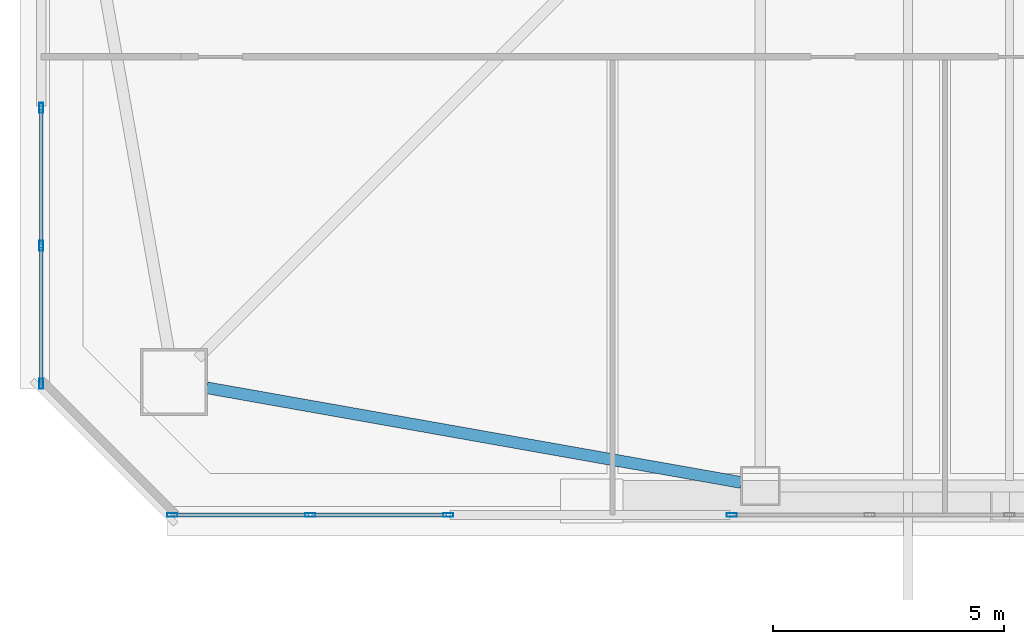
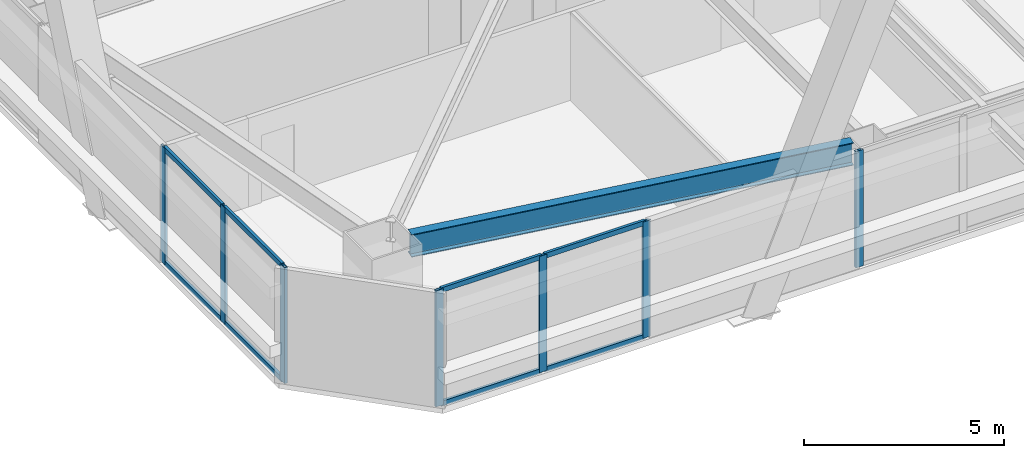
# One storey, part 3 of 54: 15 members, 1 beam, 3 elements without a shape of their own.
"""IFC4 building model written with IfcOpenShell, lengths in metres."""

from ifc_helpers import new_model, si_unit, direction, frame, origin, origin_2d, place, context, subcontext, project, spatial, hollow_rectangle, i_section, extrude, material, material_profile, profile_set, type_object, element, aggregate, save


model = new_model("IFC4")

# Units and contexts
model_context = context("Model", 3, precision=1e-05, world=origin(), true_north=direction((0.0, 1.0)))
body_context = subcontext(model_context, "Body", "Model", "MODEL_VIEW")
ifc_project = project(units=[si_unit("LENGTHUNIT", "METRE"), si_unit("AREAUNIT", "SQUARE_METRE"), si_unit("VOLUMEUNIT", "CUBIC_METRE"), si_unit("PLANEANGLEUNIT", "RADIAN"), si_unit("MASSUNIT", "GRAM", prefix="KILO")], contexts=[model_context])

# Site, building, storey
site_placement = place(None, origin())
site = spatial("IfcSite", under=ifc_project, at=site_placement, CompositionType="ELEMENT")
building_placement = place(site_placement, origin())
building = spatial("IfcBuilding", under=site, at=building_placement, Name="Tashvorn Skyway Center", CompositionType="ELEMENT")
storey_placement = place(building_placement, frame((0.0, 0.0, 88.5)))
storey = spatial("IfcBuildingStorey", under=building, at=storey_placement, Name="L23", CompositionType="ELEMENT", Elevation=88.5)

# Beam
ifc_material_1 = material(Name="Steel ASTM A992 Grade 50", Category="steel")
ifc_material_profile_1 = material_profile(ifc_material_1, i_section(OverallWidth=0.256103515625, OverallDepth=0.693115234375, WebThickness=0.014404296875, FlangeThickness=0.023681640625, at=origin_2d()), Name="W27X114")
ifc_profile_set_1 = profile_set([ifc_material_profile_1], Name="Steel ASTM A992 Grade 50")
beam_type = type_object("IfcBeamType", Name="BM-SPANDREL-W27X114", PredefinedType="SPANDREL", material=ifc_profile_set_1)
beam_placement = place(storey_placement, frame((24.60888671875, 13.7744140625, 3.00341796875), z_axis=(0.98466816531, -0.174437966698, 0.0), x_axis=(0.174437966698, 0.98466816531, 0.0)))
element("IfcBeam", 1, at=beam_placement, inside=storey, type_object=beam_type, Name="Tower 1 L23 Spandrel Beam 01", PredefinedType="SPANDREL", context=body_context, shape_type="SweptSolid", body=[
    extrude(i_section(OverallWidth=0.256103515625, OverallDepth=0.693115234375, WebThickness=0.014404296875, FlangeThickness=0.023681640625, at=origin_2d()), origin(), (0.0, 0.0, 1.0), 11.7578125),
])

# Curtain wall, member
ifc_material_2 = material(Name="Thermally broken bronze-anodized aluminium 6063-T6", Category="aluminium")
curtain_wall_type = type_object("IfcCurtainWallType", Name="CW-CW-Z2", PredefinedType="NOTDEFINED", material=ifc_material_2)
curtain_wall_1_placement = place(storey_placement, origin())
curtain_wall_1 = element("IfcCurtainWall", 2, at=curtain_wall_1_placement, inside=storey, type_object=curtain_wall_type, Name="Tower 1 L23 South Unitised Curtain Wall Glazing Group 2", PredefinedType="NOTDEFINED")
ifc_material_profile_2 = material_profile(ifc_material_2, hollow_rectangle(XDim=0.080078125, YDim=0.219970703125, WallThickness=0.0048828125, at=origin_2d()), Name="ALU-MULL-80x220")
ifc_profile_set_2 = profile_set([ifc_material_profile_2], Name="Thermally broken bronze-anodized aluminium 6063-T6")
member_type_1 = type_object("IfcMemberType", Name="CWM-CW-Z2", PredefinedType="MULLION", material=ifc_profile_set_2)
member_1_placement = place(storey_placement, frame((35.97998046875, 11.02001953125, 0.0), z_axis=(0.0, 0.0, 1.0), x_axis=(0.0, -1.0, 0.0)))
member_1 = element("IfcMember", 3, at=member_1_placement, type_object=member_type_1, Name="CW-Z2 mullion 5", PredefinedType="MULLION", context=body_context, shape_type="SweptSolid", body=[
    extrude(hollow_rectangle(XDim=0.080078125, YDim=0.219970703125, WallThickness=0.0048828125, at=origin_2d()), origin(), (0.0, 0.0, 1.0), 3.550048828125),
])
aggregate(curtain_wall_1, [member_1])

# Curtain wall, members
curtain_wall_2_placement = place(storey_placement, origin())
curtain_wall_2 = element("IfcCurtainWall", 4, at=curtain_wall_2_placement, inside=storey, type_object=curtain_wall_type, Name="Tower 1 L23 South Unitised Curtain Wall Glazing Group 3", PredefinedType="NOTDEFINED")
member_2_placement = place(storey_placement, frame((29.840087890625, 11.02001953125, 0.0), z_axis=(0.0, 0.0, 1.0), x_axis=(0.0, -1.0, 0.0)))
member_2 = element("IfcMember", 5, at=member_2_placement, type_object=member_type_1, Name="CW-Z2 mullion 1", PredefinedType="MULLION", context=body_context, shape_type="SweptSolid", body=[
    extrude(hollow_rectangle(XDim=0.080078125, YDim=0.219970703125, WallThickness=0.0048828125, at=origin_2d()), origin(), (0.0, 0.0, 1.0), 3.550048828125),
])
member_3_placement = place(storey_placement, frame((26.85009765625, 11.02001953125, 0.0), z_axis=(0.0, 0.0, 1.0), x_axis=(0.0, -1.0, 0.0)))
member_3 = element("IfcMember", 6, at=member_3_placement, type_object=member_type_1, Name="CW-Z2 mullion 2", PredefinedType="MULLION", context=body_context, shape_type="SweptSolid", body=[
    extrude(hollow_rectangle(XDim=0.080078125, YDim=0.219970703125, WallThickness=0.0048828125, at=origin_2d()), origin(), (0.0, 0.0, 1.0), 3.550048828125),
])
member_4_placement = place(storey_placement, frame((23.860107421875, 11.02001953125, 0.0), z_axis=(0.0, 0.0, 1.0), x_axis=(0.0, -1.0, 0.0)))
member_4 = element("IfcMember", 7, at=member_4_placement, type_object=member_type_1, Name="CW-Z2 mullion 3", PredefinedType="MULLION", context=body_context, shape_type="SweptSolid", body=[
    extrude(hollow_rectangle(XDim=0.080078125, YDim=0.219970703125, WallThickness=0.0048828125, at=origin_2d()), origin(), (0.0, 0.0, 1.0), 3.550048828125),
])

curtain_wall_3_placement = place(storey_placement, origin())
curtain_wall_3 = element("IfcCurtainWall", 8, at=curtain_wall_3_placement, inside=storey, type_object=curtain_wall_type, Name="Tower 1 L23 West Unitised Curtain Wall Glazing Group 1", PredefinedType="NOTDEFINED")
member_5_placement = place(storey_placement, frame((21.02001953125, 13.860107421875, 0.0), z_axis=(0.0, 0.0, 1.0), x_axis=(-1.0, 0.0, 0.0)))
member_5 = element("IfcMember", 9, at=member_5_placement, type_object=member_type_1, Name="CW-Z2 mullion 1", PredefinedType="MULLION", context=body_context, shape_type="SweptSolid", body=[
    extrude(hollow_rectangle(XDim=0.080078125, YDim=0.219970703125, WallThickness=0.0048828125, at=origin_2d()), origin(), (0.0, 0.0, 1.0), 3.550048828125),
])
member_6_placement = place(storey_placement, frame((21.02001953125, 16.85009765625, 0.0), z_axis=(0.0, 0.0, 1.0), x_axis=(-1.0, 0.0, 0.0)))
member_6 = element("IfcMember", 10, at=member_6_placement, type_object=member_type_1, Name="CW-Z2 mullion 2", PredefinedType="MULLION", context=body_context, shape_type="SweptSolid", body=[
    extrude(hollow_rectangle(XDim=0.080078125, YDim=0.219970703125, WallThickness=0.0048828125, at=origin_2d()), origin(), (0.0, 0.0, 1.0), 3.550048828125),
])
member_7_placement = place(storey_placement, frame((21.02001953125, 19.840087890625, 0.0), z_axis=(0.0, 0.0, 1.0), x_axis=(-1.0, 0.0, 0.0)))
member_7 = element("IfcMember", 11, at=member_7_placement, type_object=member_type_1, Name="CW-Z2 mullion 3", PredefinedType="MULLION", context=body_context, shape_type="SweptSolid", body=[
    extrude(hollow_rectangle(XDim=0.080078125, YDim=0.219970703125, WallThickness=0.0048828125, at=origin_2d()), origin(), (0.0, 0.0, 1.0), 3.550048828125),
])

# Member
ifc_material_profile_3 = material_profile(ifc_material_2, hollow_rectangle(XDim=0.080078125, YDim=0.14990234375, WallThickness=0.00439453125, at=origin_2d()), Name="ALU-TRAN-80x150")
ifc_profile_set_3 = profile_set([ifc_material_profile_3], Name="Thermally broken bronze-anodized aluminium 6063-T6")
member_type_2 = type_object("IfcMemberType", Name="CWT-CW-Z2", PredefinedType="USERDEFINED", material=ifc_profile_set_3)
member_8_placement = place(storey_placement, frame((29.800048828125, 11.02001953125, 0.0400390625), z_axis=(-1.0, 0.0, 0.0), x_axis=(0.0, -1.0, 0.0)))
member_8 = element("IfcMember", 12, at=member_8_placement, type_object=member_type_2, Name="CW-Z2 transom 1.1", ObjectType="TRANSOM", PredefinedType="USERDEFINED", context=body_context, shape_type="SweptSolid", body=[
    extrude(hollow_rectangle(XDim=0.080078125, YDim=0.14990234375, WallThickness=0.00439453125, at=origin_2d()), origin(), (0.0, 0.0, 1.0), 2.91015625),
])

member_9_placement = place(storey_placement, frame((29.800048828125, 11.02001953125, 3.510009765625), z_axis=(-1.0, 0.0, 0.0), x_axis=(0.0, -1.0, 0.0)))
member_9 = element("IfcMember", 13, at=member_9_placement, type_object=member_type_2, Name="CW-Z2 transom 1.2", ObjectType="TRANSOM", PredefinedType="USERDEFINED", context=body_context, shape_type="SweptSolid", body=[
    extrude(hollow_rectangle(XDim=0.080078125, YDim=0.14990234375, WallThickness=0.00439453125, at=origin_2d()), origin(), (0.0, 0.0, 1.0), 2.91015625),
])

member_10_placement = place(storey_placement, frame((26.81005859375, 11.02001953125, 0.0400390625), z_axis=(-1.0, 0.0, 0.0), x_axis=(0.0, -1.0, 0.0)))
member_10 = element("IfcMember", 14, at=member_10_placement, type_object=member_type_2, Name="CW-Z2 transom 2.1", ObjectType="TRANSOM", PredefinedType="USERDEFINED", context=body_context, shape_type="SweptSolid", body=[
    extrude(hollow_rectangle(XDim=0.080078125, YDim=0.14990234375, WallThickness=0.00439453125, at=origin_2d()), origin(), (0.0, 0.0, 1.0), 2.91015625),
])

member_11_placement = place(storey_placement, frame((26.81005859375, 11.02001953125, 3.510009765625), z_axis=(-1.0, 0.0, 0.0), x_axis=(0.0, -1.0, 0.0)))
member_11 = element("IfcMember", 15, at=member_11_placement, type_object=member_type_2, Name="CW-Z2 transom 2.2", ObjectType="TRANSOM", PredefinedType="USERDEFINED", context=body_context, shape_type="SweptSolid", body=[
    extrude(hollow_rectangle(XDim=0.080078125, YDim=0.14990234375, WallThickness=0.00439453125, at=origin_2d()), origin(), (0.0, 0.0, 1.0), 2.91015625),
])

aggregate(curtain_wall_2, [member_2, member_3, member_4, member_8, member_9, member_10, member_11])

member_12_placement = place(storey_placement, frame((21.02001953125, 13.89990234375, 0.0400390625), z_axis=(0.0, 1.0, 0.0), x_axis=(-1.0, 0.0, 0.0)))
member_12 = element("IfcMember", 16, at=member_12_placement, type_object=member_type_2, Name="CW-Z2 transom 1.1", ObjectType="TRANSOM", PredefinedType="USERDEFINED", context=body_context, shape_type="SweptSolid", body=[
    extrude(hollow_rectangle(XDim=0.080078125, YDim=0.14990234375, WallThickness=0.00439453125, at=origin_2d()), origin(), (0.0, 0.0, 1.0), 2.91015625),
])

member_13_placement = place(storey_placement, frame((21.02001953125, 13.89990234375, 3.510009765625), z_axis=(0.0, 1.0, 0.0), x_axis=(-1.0, 0.0, 0.0)))
member_13 = element("IfcMember", 17, at=member_13_placement, type_object=member_type_2, Name="CW-Z2 transom 1.2", ObjectType="TRANSOM", PredefinedType="USERDEFINED", context=body_context, shape_type="SweptSolid", body=[
    extrude(hollow_rectangle(XDim=0.080078125, YDim=0.14990234375, WallThickness=0.00439453125, at=origin_2d()), origin(), (0.0, 0.0, 1.0), 2.91015625),
])

member_14_placement = place(storey_placement, frame((21.02001953125, 16.889892578125, 0.0400390625), z_axis=(0.0, 1.0, 0.0), x_axis=(-1.0, 0.0, 0.0)))
member_14 = element("IfcMember", 18, at=member_14_placement, type_object=member_type_2, Name="CW-Z2 transom 2.1", ObjectType="TRANSOM", PredefinedType="USERDEFINED", context=body_context, shape_type="SweptSolid", body=[
    extrude(hollow_rectangle(XDim=0.080078125, YDim=0.14990234375, WallThickness=0.00439453125, at=origin_2d()), origin(), (0.0, 0.0, 1.0), 2.91015625),
])

member_15_placement = place(storey_placement, frame((21.02001953125, 16.889892578125, 3.510009765625), z_axis=(0.0, 1.0, 0.0), x_axis=(-1.0, 0.0, 0.0)))
member_15 = element("IfcMember", 19, at=member_15_placement, type_object=member_type_2, Name="CW-Z2 transom 2.2", ObjectType="TRANSOM", PredefinedType="USERDEFINED", context=body_context, shape_type="SweptSolid", body=[
    extrude(hollow_rectangle(XDim=0.080078125, YDim=0.14990234375, WallThickness=0.00439453125, at=origin_2d()), origin(), (0.0, 0.0, 1.0), 2.91015625),
])

aggregate(curtain_wall_3, [member_5, member_6, member_7, member_12, member_13, member_14, member_15])

save(model, "model.ifc")
